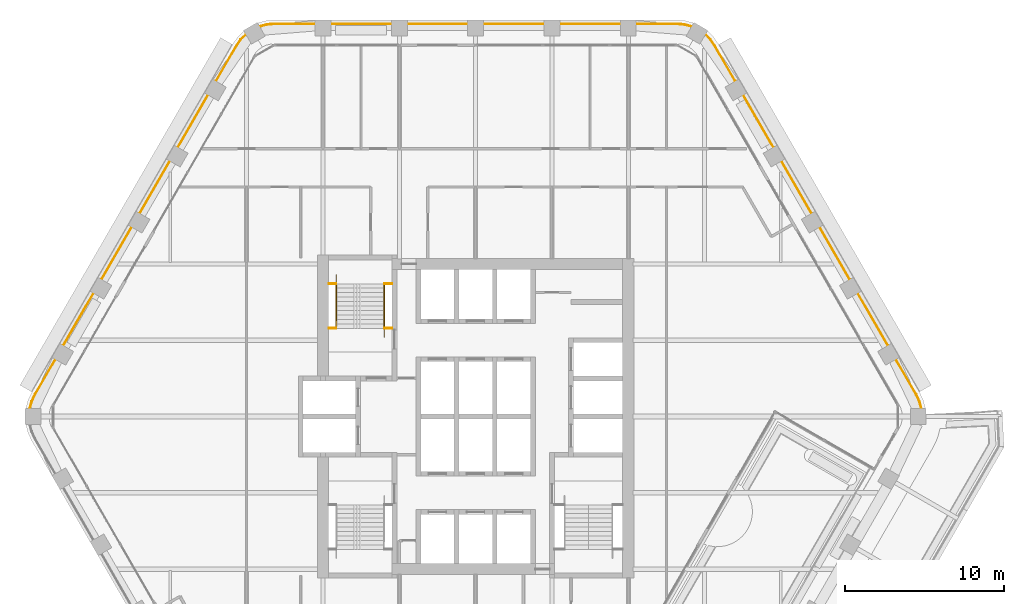
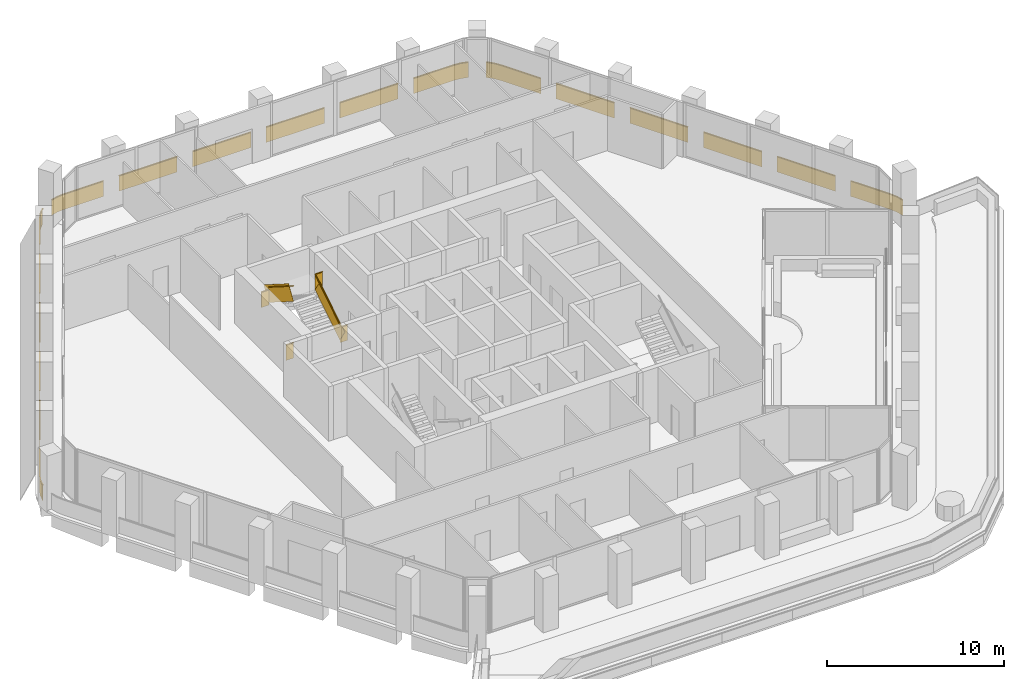
# One storey, part 17 of 17: 5 railings.
"""IFC4 building model written with IfcOpenShell, lengths in metres."""

from ifc_helpers import new_model, si_unit, direction, frame, frame_2d, origin, origin_2d, place, context, subcontext, project, spatial, rectangle, extrude, material, type_object, element, save


model = new_model("IFC4")

# Units and contexts
model_context = context("Model", 3, precision=1e-05, world=origin(), true_north=direction((0.0, 1.0)))
body_context = subcontext(model_context, "Body", "Model", "MODEL_VIEW")
ifc_project = project(units=[si_unit("LENGTHUNIT", "METRE"), si_unit("AREAUNIT", "SQUARE_METRE"), si_unit("VOLUMEUNIT", "CUBIC_METRE"), si_unit("PLANEANGLEUNIT", "RADIAN"), si_unit("MASSUNIT", "GRAM", prefix="KILO")], contexts=[model_context])

# Site, building, storey
site_placement = place(None, origin())
site = spatial("IfcSite", under=ifc_project, at=site_placement, CompositionType="ELEMENT")
building_placement = place(site_placement, origin())
building = spatial("IfcBuilding", under=site, at=building_placement, Name="Kolab Exchange Tower", CompositionType="ELEMENT")
storey_placement = place(building_placement, frame((0.0, 0.0, 197.300048828125)))
storey = spatial("IfcBuildingStorey", under=building, at=storey_placement, Name="L42", CompositionType="ELEMENT", Elevation=197.300048828125)

# Railings
ifc_material_1 = material(Name="Stainless steel 316", Category="steel")
railing_type_1 = type_object("IfcRailingType", Name="GUARD 1100", PredefinedType="GUARDRAIL", material=ifc_material_1)
railing_1_placement = place(storey_placement, frame((-9.25, 5.550048828125, 0.0)))
element("IfcRailing", 1, at=railing_1_placement, inside=storey, type_object=railing_type_1, Name="Guard ST1", PredefinedType="GUARDRAIL", context=body_context, shape_type="SweptSolid", body=[
    extrude(rectangle(XDim=0.05, YDim=0.05, at=origin_2d()), frame((0.0, 0.0, 1.0751953125), z_axis=(1.0, 0.0, 0.0), x_axis=(0.0, 1.0, 0.0)), (0.0, 0.0, 1.0), 0.489990234375),
    extrude(rectangle(XDim=0.012, YDim=1.05009765625, at=frame_2d((0.0, 0.525146484375))), frame((0.0, 0.0, 0.0), z_axis=(1.0, 0.0, 0.0), x_axis=(0.0, 1.0, 0.0)), (0.0, 0.0, 1.0), 0.489990234375),
    extrude(rectangle(XDim=0.05, YDim=0.05, at=origin_2d()), frame((3.510009765625, 0.0, 1.0751953125), z_axis=(1.0, 0.0, 0.0), x_axis=(0.0, 1.0, 0.0)), (0.0, 0.0, 1.0), 0.489990234375),
    extrude(rectangle(XDim=0.012, YDim=1.05009765625, at=frame_2d((0.0, 0.525146484375))), frame((3.510009765625, 0.0, 0.0), z_axis=(1.0, 0.0, 0.0), x_axis=(0.0, 1.0, 0.0)), (0.0, 0.0, 1.0), 0.489990234375),
    extrude(rectangle(XDim=0.05, YDim=0.05, at=origin_2d()), frame((0.0, 2.800048828125, 3.025146484375), z_axis=(1.0, 0.0, 0.0), x_axis=(0.0, 1.0, 0.0)), (0.0, 0.0, 1.0), 0.489990234375),
    extrude(rectangle(XDim=0.012, YDim=1.05009765625, at=frame_2d((0.0, 0.525146484375))), frame((0.0, 2.800048828125, 1.949951171875), z_axis=(1.0, 0.0, 0.0), x_axis=(0.0, 1.0, 0.0)), (0.0, 0.0, 1.0), 0.489990234375),
    extrude(rectangle(XDim=0.05, YDim=0.05, at=origin_2d()), frame((3.510009765625, 2.800048828125, 3.025146484375), z_axis=(1.0, 0.0, 0.0), x_axis=(0.0, 1.0, 0.0)), (0.0, 0.0, 1.0), 0.489990234375),
    extrude(rectangle(XDim=0.012, YDim=1.05009765625, at=frame_2d((0.0, 0.525146484375))), frame((3.510009765625, 2.800048828125, 1.949951171875), z_axis=(1.0, 0.0, 0.0), x_axis=(0.0, 1.0, 0.0)), (0.0, 0.0, 1.0), 0.489990234375),
])
railing_2_placement = place(storey_placement, frame((-5.739990234375, 5.550048828125, 0.17724609375)))
element("IfcRailing", 2, at=railing_2_placement, inside=storey, type_object=railing_type_1, Name="Handrail guard ST1", PredefinedType="GUARDRAIL", context=body_context, shape_type="SweptSolid", body=[
    extrude(rectangle(XDim=0.05, YDim=0.05, at=origin_2d()), frame((0.0, 0.0, 1.0751953125), z_axis=(0.0, 0.844908973607, 0.534910110503), x_axis=(-1.0, 0.0, 0.0)), (0.0, 0.0, 1.0), 3.31396484375),
    extrude(rectangle(XDim=0.012, YDim=1.05009765625, at=frame_2d((0.0, 0.525146484375))), frame((0.0, 0.0, 0.0), z_axis=(0.0, 0.844908973607, 0.534910110503), x_axis=(-1.0, 0.0, 0.0)), (0.0, 0.0, 1.0), 3.31396484375),
    extrude(rectangle(XDim=0.05, YDim=0.05, at=origin_2d()), frame((-3.02001953125, 2.800048828125, 3.025146484375), z_axis=(0.0, -0.844908973607, 0.534910110503), x_axis=(1.0, 0.0, 0.0)), (0.0, 0.0, 1.0), 3.31396484375),
    extrude(rectangle(XDim=0.012, YDim=1.05009765625, at=frame_2d((0.0, 0.525146484375))), frame((-3.02001953125, 2.800048828125, 1.949951171875), z_axis=(0.0, -0.844908973607, 0.534910110503), x_axis=(1.0, 0.0, 0.0)), (0.0, 0.0, 1.0), 3.31396484375),
])
ifc_material_2 = material(Name="Steel S235", Category="steel")
railing_type_2 = type_object("IfcRailingType", Name="GUARD 1100 GLASS BALUSTRADE AND STEEL TOP RAIL", PredefinedType="GUARDRAIL", material=ifc_material_2)
railing_3_placement = place(storey_placement, frame((13.588623046875, 24.531005859375, 0.0)))
element("IfcRailing", 3, at=railing_3_placement, inside=storey, type_object=railing_type_2, Name="Guard", PredefinedType="GUARDRAIL", context=body_context, shape_type="SweptSolid", body=[
    extrude(rectangle(XDim=0.05, YDim=0.05, at=origin_2d()), frame((0.0, 0.0, 1.0751953125), z_axis=(-0.965969425465, 0.25865627591, 0.0), x_axis=(-0.25865627591, -0.965969425465, 0.0)), (0.0, 0.0, 1.0), 0.458740234375),
    extrude(rectangle(XDim=0.012, YDim=1.05009765625, at=frame_2d((0.0, 0.525146484375))), frame((0.0, 0.0, 0.0), z_axis=(-0.965969425465, 0.25865627591, 0.0), x_axis=(-0.25865627591, -0.965969425465, 0.0)), (0.0, 0.0, 1.0), 0.458740234375),
    extrude(rectangle(XDim=0.05, YDim=0.05, at=origin_2d()), frame((-0.443115234375, 0.11865234375, 1.0751953125), z_axis=(-0.996156034798, 0.087596542937, 0.0), x_axis=(-0.087596542937, -0.996156034798, 0.0)), (0.0, 0.0, 1.0), 0.4794921875),
    extrude(rectangle(XDim=0.012, YDim=1.05009765625, at=frame_2d((0.0, 0.525146484375))), frame((-0.443115234375, 0.11865234375, 0.0), z_axis=(-0.996156034798, 0.087596542937, 0.0), x_axis=(-0.087596542937, -0.996156034798, 0.0)), (0.0, 0.0, 1.0), 0.4794921875),
    extrude(rectangle(XDim=0.05, YDim=0.05, at=origin_2d()), frame((-0.920654296875, 0.16064453125, 1.0751953125), z_axis=(-1.0, 0.0, 0.0), x_axis=(0.0, -1.0, 0.0)), (0.0, 0.0, 1.0), 2.56787109375),
    extrude(rectangle(XDim=0.012, YDim=1.05009765625, at=frame_2d((0.0, 0.525146484375))), frame((-0.920654296875, 0.16064453125, 0.0), z_axis=(-1.0, 0.0, 0.0), x_axis=(0.0, -1.0, 0.0)), (0.0, 0.0, 1.0), 2.56787109375),
    extrude(rectangle(XDim=0.05, YDim=0.05, at=origin_2d()), frame((-4.488525390625, 0.16064453125, 1.0751953125), z_axis=(-1.0, 0.0, 0.0), x_axis=(0.0, -1.0, 0.0)), (0.0, 0.0, 1.0), 3.800048828125),
    extrude(rectangle(XDim=0.012, YDim=1.05009765625, at=frame_2d((0.0, 0.525146484375))), frame((-4.488525390625, 0.16064453125, 0.0), z_axis=(-1.0, 0.0, 0.0), x_axis=(0.0, -1.0, 0.0)), (0.0, 0.0, 1.0), 3.800048828125),
    extrude(rectangle(XDim=0.05, YDim=0.05, at=origin_2d()), frame((-9.28857421875, 0.16064453125, 1.0751953125), z_axis=(-1.0, 0.0, 0.0), x_axis=(0.0, -1.0, 0.0)), (0.0, 0.0, 1.0), 3.800048828125),
    extrude(rectangle(XDim=0.012, YDim=1.05009765625, at=frame_2d((0.0, 0.525146484375))), frame((-9.28857421875, 0.16064453125, 0.0), z_axis=(-1.0, 0.0, 0.0), x_axis=(0.0, -1.0, 0.0)), (0.0, 0.0, 1.0), 3.800048828125),
    extrude(rectangle(XDim=0.05, YDim=0.05, at=origin_2d()), frame((-14.088623046875, 0.16064453125, 1.0751953125), z_axis=(-1.0, 0.0, 0.0), x_axis=(0.0, -1.0, 0.0)), (0.0, 0.0, 1.0), 3.800048828125),
    extrude(rectangle(XDim=0.012, YDim=1.05009765625, at=frame_2d((0.0, 0.525146484375))), frame((-14.088623046875, 0.16064453125, 0.0), z_axis=(-1.0, 0.0, 0.0), x_axis=(0.0, -1.0, 0.0)), (0.0, 0.0, 1.0), 3.800048828125),
    extrude(rectangle(XDim=0.05, YDim=0.05, at=origin_2d()), frame((-18.888671875, 0.16064453125, 1.0751953125), z_axis=(-1.0, 0.0, 0.0), x_axis=(0.0, -1.0, 0.0)), (0.0, 0.0, 1.0), 3.800048828125),
    extrude(rectangle(XDim=0.012, YDim=1.05009765625, at=frame_2d((0.0, 0.525146484375))), frame((-18.888671875, 0.16064453125, 0.0), z_axis=(-1.0, 0.0, 0.0), x_axis=(0.0, -1.0, 0.0)), (0.0, 0.0, 1.0), 3.800048828125),
    extrude(rectangle(XDim=0.05, YDim=0.05, at=origin_2d()), frame((-23.688720703125, 0.16064453125, 1.0751953125), z_axis=(-1.0, 0.0, 0.0), x_axis=(0.0, -1.0, 0.0)), (0.0, 0.0, 1.0), 2.56787109375),
    extrude(rectangle(XDim=0.012, YDim=1.05009765625, at=frame_2d((0.0, 0.525146484375))), frame((-23.688720703125, 0.16064453125, 0.0), z_axis=(-1.0, 0.0, 0.0), x_axis=(0.0, -1.0, 0.0)), (0.0, 0.0, 1.0), 2.56787109375),
    extrude(rectangle(XDim=0.05, YDim=0.05, at=origin_2d()), frame((-26.256591796875, 0.16064453125, 1.0751953125), z_axis=(-0.996156034798, -0.087596542937, 0.0), x_axis=(0.087596542937, -0.996156034798, 0.0)), (0.0, 0.0, 1.0), 0.4794921875),
    extrude(rectangle(XDim=0.012, YDim=1.05009765625, at=frame_2d((0.0, 0.525146484375))), frame((-26.256591796875, 0.16064453125, 0.0), z_axis=(-0.996156034798, -0.087596542937, 0.0), x_axis=(0.087596542937, -0.996156034798, 0.0)), (0.0, 0.0, 1.0), 0.4794921875),
    extrude(rectangle(XDim=0.05, YDim=0.05, at=origin_2d()), frame((-26.734130859375, 0.11865234375, 1.0751953125), z_axis=(-0.965969425465, -0.25865627591, 0.0), x_axis=(0.25865627591, -0.965969425465, 0.0)), (0.0, 0.0, 1.0), 0.458740234375),
    extrude(rectangle(XDim=0.012, YDim=1.05009765625, at=frame_2d((0.0, 0.525146484375))), frame((-26.734130859375, 0.11865234375, 0.0), z_axis=(-0.965969425465, -0.25865627591, 0.0), x_axis=(0.25865627591, -0.965969425465, 0.0)), (0.0, 0.0, 1.0), 0.458740234375),
])
railing_4_placement = place(storey_placement, frame((28.038818359375, 0.49755859375, 0.0)))
element("IfcRailing", 4, at=railing_4_placement, inside=storey, type_object=railing_type_2, Name="Guard", PredefinedType="GUARDRAIL", context=body_context, shape_type="SweptSolid", body=[
    extrude(rectangle(XDim=0.05, YDim=0.05, at=origin_2d()), frame((0.0, 0.0, 1.0751953125), z_axis=(-0.25865627591, 0.965969425465, 0.0), x_axis=(-0.965969425465, -0.25865627591, 0.0)), (0.0, 0.0, 1.0), 0.458740234375),
    extrude(rectangle(XDim=0.012, YDim=1.05009765625, at=frame_2d((0.0, 0.525146484375))), frame((0.0, 0.0, 0.0), z_axis=(-0.25865627591, 0.965969425465, 0.0), x_axis=(-0.965969425465, -0.25865627591, 0.0)), (0.0, 0.0, 1.0), 0.458740234375),
    extrude(rectangle(XDim=0.05, YDim=0.05, at=origin_2d()), frame((-0.11865234375, 0.443115234375, 1.0751953125), z_axis=(-0.422801802984, 0.906222177721, 0.0), x_axis=(-0.906222177721, -0.422801802984, 0.0)), (0.0, 0.0, 1.0), 0.479248046875),
    extrude(rectangle(XDim=0.012, YDim=1.05009765625, at=frame_2d((0.0, 0.525146484375))), frame((-0.11865234375, 0.443115234375, 0.0), z_axis=(-0.422801802984, 0.906222177721, 0.0), x_axis=(-0.906222177721, -0.422801802984, 0.0)), (0.0, 0.0, 1.0), 0.479248046875),
    extrude(rectangle(XDim=0.05, YDim=0.05, at=origin_2d()), frame((-0.3212890625, 0.87744140625, 1.0751953125), z_axis=(-0.499994038704, 0.866028845513, 0.0), x_axis=(-0.866028845513, -0.499994038704, 0.0)), (0.0, 0.0, 1.0), 2.56787109375),
    extrude(rectangle(XDim=0.012, YDim=1.05009765625, at=frame_2d((0.0, 0.525146484375))), frame((-0.3212890625, 0.87744140625, 0.0), z_axis=(-0.499994038704, 0.866028845513, 0.0), x_axis=(-0.866028845513, -0.499994038704, 0.0)), (0.0, 0.0, 1.0), 2.56787109375),
    extrude(rectangle(XDim=0.05, YDim=0.05, at=origin_2d()), frame((-2.105224609375, 3.96728515625, 1.0751953125), z_axis=(-0.500015340139, 0.86601654697, 0.0), x_axis=(-0.86601654697, -0.500015340139, 0.0)), (0.0, 0.0, 1.0), 3.80029296875),
    extrude(rectangle(XDim=0.012, YDim=1.05009765625, at=frame_2d((0.0, 0.525146484375))), frame((-2.105224609375, 3.96728515625, 0.0), z_axis=(-0.500015340139, 0.86601654697, 0.0), x_axis=(-0.86601654697, -0.500015340139, 0.0)), (0.0, 0.0, 1.0), 3.80029296875),
    extrude(rectangle(XDim=0.05, YDim=0.05, at=origin_2d()), frame((-4.50537109375, 8.124267578125, 1.0751953125), z_axis=(-0.499967155389, 0.866044365799, 0.0), x_axis=(-0.866044365799, -0.499967155389, 0.0)), (0.0, 0.0, 1.0), 3.800048828125),
    extrude(rectangle(XDim=0.012, YDim=1.05009765625, at=frame_2d((0.0, 0.525146484375))), frame((-4.50537109375, 8.124267578125, 0.0), z_axis=(-0.499967155389, 0.866044365799, 0.0), x_axis=(-0.866044365799, -0.499967155389, 0.0)), (0.0, 0.0, 1.0), 3.800048828125),
    extrude(rectangle(XDim=0.05, YDim=0.05, at=origin_2d()), frame((-6.9052734375, 12.28125, 1.0751953125), z_axis=(-0.500043160704, 0.866000483506, 0.0), x_axis=(-0.866000483506, -0.500043160704, 0.0)), (0.0, 0.0, 1.0), 3.800048828125),
    extrude(rectangle(XDim=0.012, YDim=1.05009765625, at=frame_2d((0.0, 0.525146484375))), frame((-6.9052734375, 12.28125, 0.0), z_axis=(-0.500043160704, 0.866000483506, 0.0), x_axis=(-0.866000483506, -0.500043160704, 0.0)), (0.0, 0.0, 1.0), 3.800048828125),
    extrude(rectangle(XDim=0.05, YDim=0.05, at=origin_2d()), frame((-9.305419921875, 16.438232421875, 1.0751953125), z_axis=(-0.499994975061, 0.866028304915, 0.0), x_axis=(-0.866028304915, -0.499994975061, 0.0)), (0.0, 0.0, 1.0), 3.7998046875),
    extrude(rectangle(XDim=0.012, YDim=1.05009765625, at=frame_2d((0.0, 0.525146484375))), frame((-9.305419921875, 16.438232421875, 0.0), z_axis=(-0.499994975061, 0.866028304915, 0.0), x_axis=(-0.866028304915, -0.499994975061, 0.0)), (0.0, 0.0, 1.0), 3.7998046875),
    extrude(rectangle(XDim=0.05, YDim=0.05, at=origin_2d()), frame((-11.705322265625, 20.594970703125, 1.0751953125), z_axis=(-0.499952873616, 0.866052610505, 0.0), x_axis=(-0.866052610505, -0.499952873616, 0.0)), (0.0, 0.0, 1.0), 2.568115234375),
    extrude(rectangle(XDim=0.012, YDim=1.05009765625, at=frame_2d((0.0, 0.525146484375))), frame((-11.705322265625, 20.594970703125, 0.0), z_axis=(-0.499952873616, 0.866052610505, 0.0), x_axis=(-0.866052610505, -0.499952873616, 0.0)), (0.0, 0.0, 1.0), 2.568115234375),
    extrude(rectangle(XDim=0.05, YDim=0.05, at=origin_2d()), frame((-12.9892578125, 22.819091796875, 1.0751953125), z_axis=(-0.573599091554, 0.819136180478, 0.0), x_axis=(-0.819136180478, -0.573599091554, 0.0)), (0.0, 0.0, 1.0), 0.479248046875),
    extrude(rectangle(XDim=0.012, YDim=1.05009765625, at=frame_2d((0.0, 0.525146484375))), frame((-12.9892578125, 22.819091796875, 0.0), z_axis=(-0.573599091554, 0.819136180478, 0.0), x_axis=(-0.819136180478, -0.573599091554, 0.0)), (0.0, 0.0, 1.0), 0.479248046875),
    extrude(rectangle(XDim=0.05, YDim=0.05, at=origin_2d()), frame((-13.26416015625, 23.211669921875, 1.0751953125), z_axis=(-0.70737286085, 0.706840601361, 0.0), x_axis=(-0.706840601361, -0.70737286085, 0.0)), (0.0, 0.0, 1.0), 0.458740234375),
    extrude(rectangle(XDim=0.012, YDim=1.05009765625, at=frame_2d((0.0, 0.525146484375))), frame((-13.26416015625, 23.211669921875, 0.0), z_axis=(-0.70737286085, 0.706840601361, 0.0), x_axis=(-0.706840601361, -0.70737286085, 0.0)), (0.0, 0.0, 1.0), 0.458740234375),
])
railing_5_placement = place(storey_placement, frame((-14.4501953125, 24.033447265625, 0.0)))
element("IfcRailing", 5, at=railing_5_placement, inside=storey, type_object=railing_type_2, Name="Guard", PredefinedType="GUARDRAIL", context=body_context, shape_type="SweptSolid", body=[
    extrude(rectangle(XDim=0.05, YDim=0.05, at=origin_2d()), frame((0.0, 0.0, 1.0751953125), z_axis=(-0.70737286085, -0.706840601361, 0.0), x_axis=(0.706840601361, -0.70737286085, 0.0)), (0.0, 0.0, 1.0), 0.458740234375),
    extrude(rectangle(XDim=0.012, YDim=1.05009765625, at=frame_2d((0.0, 0.525146484375))), frame((0.0, 0.0, 0.0), z_axis=(-0.70737286085, -0.706840601361, 0.0), x_axis=(0.706840601361, -0.70737286085, 0.0)), (0.0, 0.0, 1.0), 0.458740234375),
    extrude(rectangle(XDim=0.05, YDim=0.05, at=origin_2d()), frame((-0.324462890625, -0.32421875, 1.0751953125), z_axis=(-0.573599091554, -0.819136180478, 0.0), x_axis=(0.819136180478, -0.573599091554, 0.0)), (0.0, 0.0, 1.0), 0.479248046875),
    extrude(rectangle(XDim=0.012, YDim=1.05009765625, at=frame_2d((0.0, 0.525146484375))), frame((-0.324462890625, -0.32421875, 0.0), z_axis=(-0.573599091554, -0.819136180478, 0.0), x_axis=(0.819136180478, -0.573599091554, 0.0)), (0.0, 0.0, 1.0), 0.479248046875),
    extrude(rectangle(XDim=0.05, YDim=0.05, at=origin_2d()), frame((-0.599365234375, -0.716796875, 1.0751953125), z_axis=(-0.499952873616, -0.866052610505, 0.0), x_axis=(0.866052610505, -0.499952873616, 0.0)), (0.0, 0.0, 1.0), 2.568115234375),
    extrude(rectangle(XDim=0.012, YDim=1.05009765625, at=frame_2d((0.0, 0.525146484375))), frame((-0.599365234375, -0.716796875, 0.0), z_axis=(-0.499952873616, -0.866052610505, 0.0), x_axis=(0.866052610505, -0.499952873616, 0.0)), (0.0, 0.0, 1.0), 2.568115234375),
    extrude(rectangle(XDim=0.05, YDim=0.05, at=origin_2d()), frame((-2.38330078125, -3.806884765625, 1.0751953125), z_axis=(-0.499994975061, -0.866028304915, 0.0), x_axis=(0.866028304915, -0.499994975061, 0.0)), (0.0, 0.0, 1.0), 3.7998046875),
    extrude(rectangle(XDim=0.012, YDim=1.05009765625, at=frame_2d((0.0, 0.525146484375))), frame((-2.38330078125, -3.806884765625, 0.0), z_axis=(-0.499994975061, -0.866028304915, 0.0), x_axis=(0.866028304915, -0.499994975061, 0.0)), (0.0, 0.0, 1.0), 3.7998046875),
    extrude(rectangle(XDim=0.05, YDim=0.05, at=origin_2d()), frame((-4.783203125, -7.9638671875, 1.0751953125), z_axis=(-0.500043160704, -0.866000483506, 0.0), x_axis=(0.866000483506, -0.500043160704, 0.0)), (0.0, 0.0, 1.0), 3.800048828125),
    extrude(rectangle(XDim=0.012, YDim=1.05009765625, at=frame_2d((0.0, 0.525146484375))), frame((-4.783203125, -7.9638671875, 0.0), z_axis=(-0.500043160704, -0.866000483506, 0.0), x_axis=(0.866000483506, -0.500043160704, 0.0)), (0.0, 0.0, 1.0), 3.800048828125),
    extrude(rectangle(XDim=0.05, YDim=0.05, at=origin_2d()), frame((-7.183349609375, -12.12060546875, 1.0751953125), z_axis=(-0.499967155389, -0.866044365799, 0.0), x_axis=(0.866044365799, -0.499967155389, 0.0)), (0.0, 0.0, 1.0), 3.800048828125),
    extrude(rectangle(XDim=0.012, YDim=1.05009765625, at=frame_2d((0.0, 0.525146484375))), frame((-7.183349609375, -12.12060546875, 0.0), z_axis=(-0.499967155389, -0.866044365799, 0.0), x_axis=(0.866044365799, -0.499967155389, 0.0)), (0.0, 0.0, 1.0), 3.800048828125),
    extrude(rectangle(XDim=0.05, YDim=0.05, at=origin_2d()), frame((-9.583251953125, -16.277587890625, 1.0751953125), z_axis=(-0.500015340139, -0.86601654697, 0.0), x_axis=(0.86601654697, -0.500015340139, 0.0)), (0.0, 0.0, 1.0), 3.80029296875),
    extrude(rectangle(XDim=0.012, YDim=1.05009765625, at=frame_2d((0.0, 0.525146484375))), frame((-9.583251953125, -16.277587890625, 0.0), z_axis=(-0.500015340139, -0.86601654697, 0.0), x_axis=(0.86601654697, -0.500015340139, 0.0)), (0.0, 0.0, 1.0), 3.80029296875),
    extrude(rectangle(XDim=0.05, YDim=0.05, at=origin_2d()), frame((-11.9833984375, -20.4345703125, 1.0751953125), z_axis=(-0.499994038704, -0.866028845513, 0.0), x_axis=(0.866028845513, -0.499994038704, 0.0)), (0.0, 0.0, 1.0), 2.56787109375),
    extrude(rectangle(XDim=0.012, YDim=1.05009765625, at=frame_2d((0.0, 0.525146484375))), frame((-11.9833984375, -20.4345703125, 0.0), z_axis=(-0.499994038704, -0.866028845513, 0.0), x_axis=(0.866028845513, -0.499994038704, 0.0)), (0.0, 0.0, 1.0), 2.56787109375),
    extrude(rectangle(XDim=0.05, YDim=0.05, at=origin_2d()), frame((-13.267333984375, -22.658447265625, 1.0751953125), z_axis=(-0.422801802984, -0.906222177721, 0.0), x_axis=(0.906222177721, -0.422801802984, 0.0)), (0.0, 0.0, 1.0), 0.479248046875),
    extrude(rectangle(XDim=0.012, YDim=1.05009765625, at=frame_2d((0.0, 0.525146484375))), frame((-13.267333984375, -22.658447265625, 0.0), z_axis=(-0.422801802984, -0.906222177721, 0.0), x_axis=(0.906222177721, -0.422801802984, 0.0)), (0.0, 0.0, 1.0), 0.479248046875),
    extrude(rectangle(XDim=0.05, YDim=0.05, at=origin_2d()), frame((-13.469970703125, -23.0927734375, 1.0751953125), z_axis=(-0.25865627591, -0.965969425465, 0.0), x_axis=(0.965969425465, -0.25865627591, 0.0)), (0.0, 0.0, 1.0), 0.458740234375),
    extrude(rectangle(XDim=0.012, YDim=1.05009765625, at=frame_2d((0.0, 0.525146484375))), frame((-13.469970703125, -23.0927734375, 0.0), z_axis=(-0.25865627591, -0.965969425465, 0.0), x_axis=(0.965969425465, -0.25865627591, 0.0)), (0.0, 0.0, 1.0), 0.458740234375),
])

save(model, "model.ifc")
